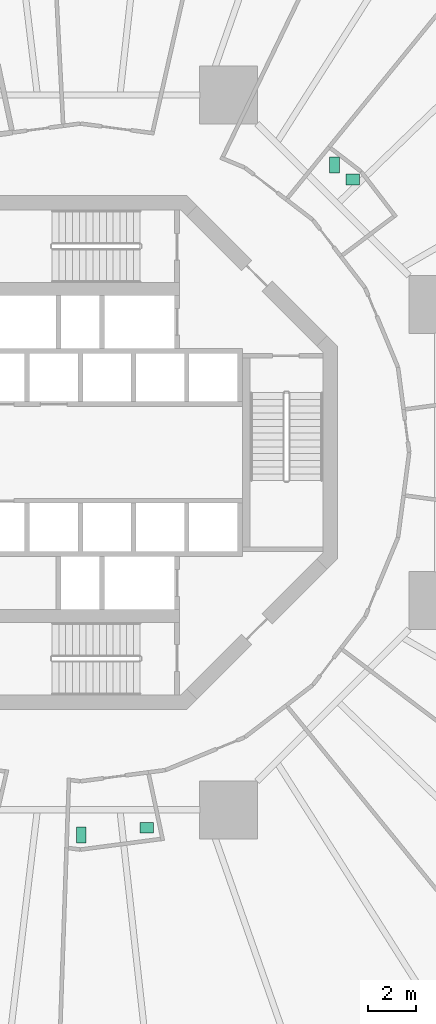
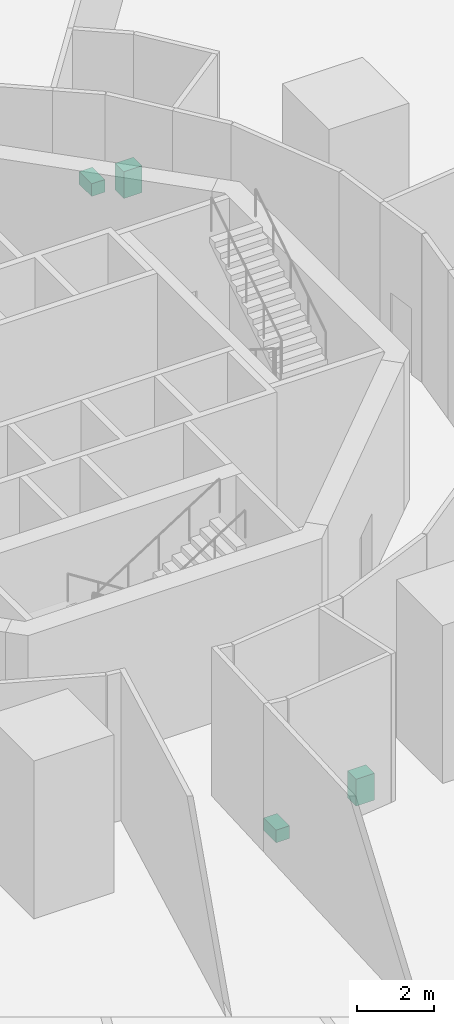
# One storey, part 48 of 48: 4 sanitary terminals.
"""IFC4 building model written with IfcOpenShell, lengths in metres."""

from ifc_helpers import new_model, si_unit, direction, frame, origin, origin_2d, place, context, subcontext, project, spatial, rectangle, extrude, material, type_object, element, save


model = new_model("IFC4")

# Units and contexts
model_context = context("Model", 3, precision=1e-05, world=origin(), true_north=direction((0.0, 1.0)))
body_context = subcontext(model_context, "Body", "Model", "MODEL_VIEW")
ifc_project = project(units=[si_unit("LENGTHUNIT", "METRE"), si_unit("AREAUNIT", "SQUARE_METRE"), si_unit("VOLUMEUNIT", "CUBIC_METRE"), si_unit("PLANEANGLEUNIT", "RADIAN"), si_unit("MASSUNIT", "GRAM", prefix="KILO")], contexts=[model_context])

# Site, building, storey
site_placement = place(None, origin())
site = spatial("IfcSite", under=ifc_project, at=site_placement, CompositionType="ELEMENT")
building_placement = place(site_placement, origin())
building = spatial("IfcBuilding", under=site, at=building_placement, Name="Nagisa Residences", CompositionType="ELEMENT")
storey_placement = place(building_placement, frame((0.0, 0.0, 12.0)))
storey = spatial("IfcBuildingStorey", under=building, at=storey_placement, Name="L02", CompositionType="ELEMENT", Elevation=12.0)

# Sanitary terminals
ifc_material_1 = material(Name="Vitreous china")
sanitary_terminal_type_1 = type_object("IfcSanitaryTerminalType", Name="WC pan", PredefinedType="WCSEAT", material=ifc_material_1)
for number, where, z_axis, x_axis, name in (
    (1, (10.510986328125, 11.886962890625, 0.0), (0.0, 0.0, 1.0), (1.0, 0.0, 0.0), "fix:L02:r0t1p0:wc"),
    (2, (0.04296875, -15.820068359375, 0.0), (0.0, 0.0, 1.0), (1.0, 0.0, 0.0), "fix:L02:r11t12p0:wc"),
):
    element("IfcSanitaryTerminal", number, at=place(storey_placement, frame(where, z_axis=z_axis, x_axis=x_axis)), inside=storey, type_object=sanitary_terminal_type_1, Name=name, PredefinedType="WCSEAT", context=body_context, shape_type="SweptSolid", body=[
        extrude(rectangle(XDim=0.39990234375, YDim=0.64990234375, at=origin_2d()), origin(), (0.0, 0.0, 1.0), 0.39990234375),
    ])
ifc_material_2 = material(Name="Vitreous china")
sanitary_terminal_type_2 = type_object("IfcSanitaryTerminalType", Name="Wash basin", PredefinedType="WASHHANDBASIN", material=ifc_material_2)
for number, where, z_axis, x_axis, name in (
    (3, (11.260986328125, 11.287109375, 0.0), (0.0, 0.0, 1.0), (1.0, 0.0, 0.0), "fix:L02:r0t1p0:basin"),
    (4, (2.742919921875, -15.52001953125, 0.0), (0.0, 0.0, 1.0), (1.0, 0.0, 0.0), "fix:L02:r11t12p0:basin"),
):
    element("IfcSanitaryTerminal", number, at=place(storey_placement, frame(where, z_axis=z_axis, x_axis=x_axis)), inside=storey, type_object=sanitary_terminal_type_2, Name=name, PredefinedType="WASHHANDBASIN", context=body_context, shape_type="SweptSolid", body=[
        extrude(rectangle(XDim=0.550048828125, YDim=0.449951171875, at=origin_2d()), origin(), (0.0, 0.0, 1.0), 0.85009765625),
    ])

save(model, "model.ifc")
